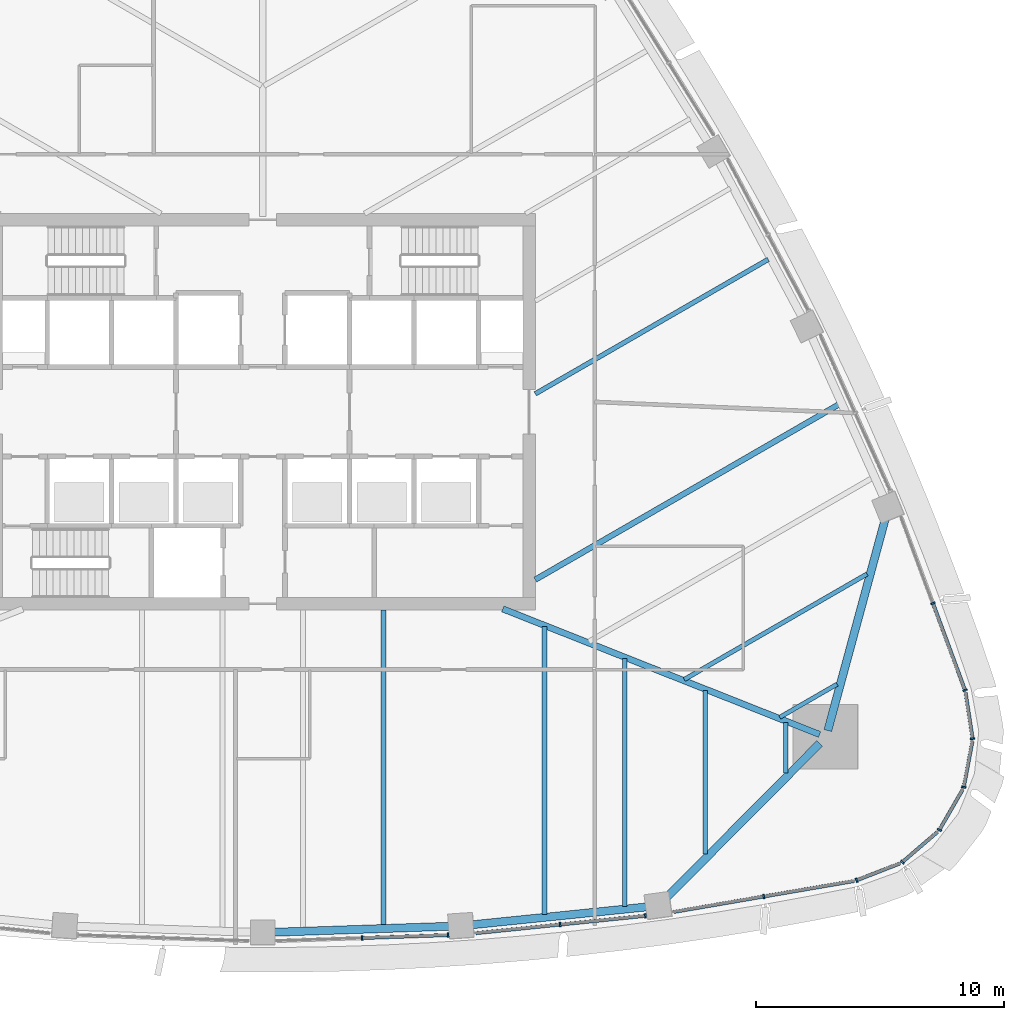
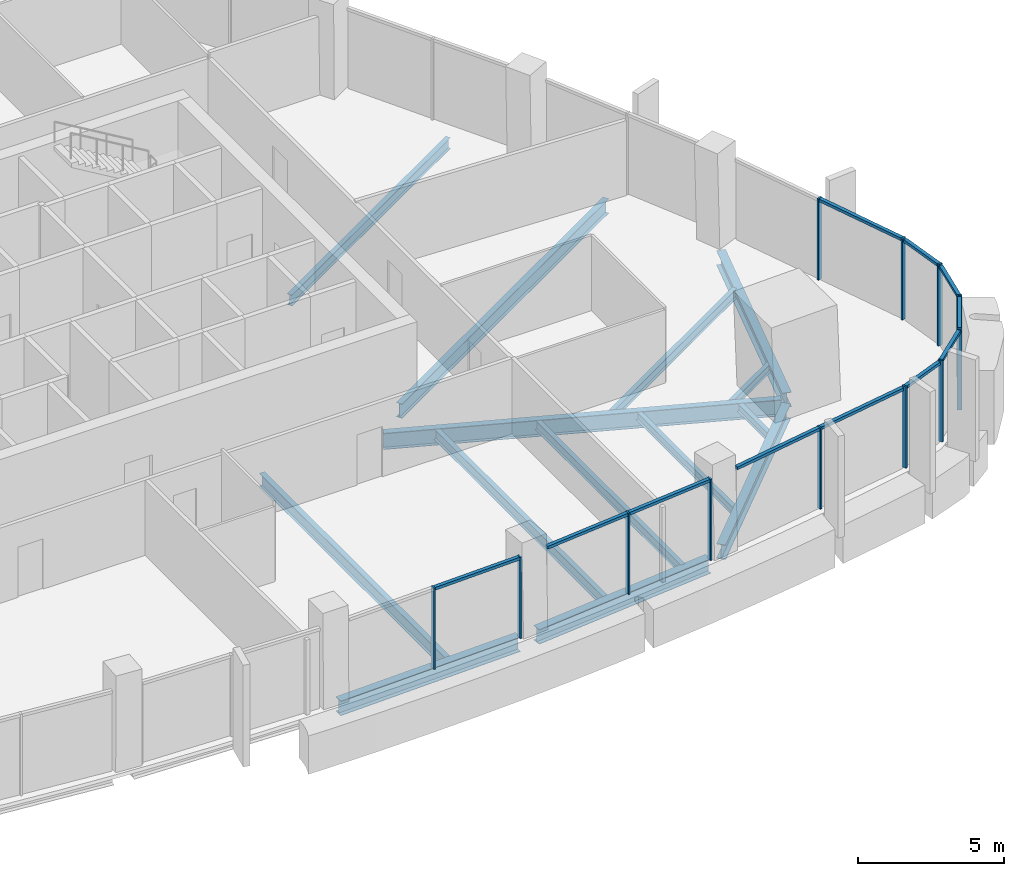
# One storey, part 4 of 19: 23 members, 14 beams, 9 elements without a shape of their own.
"""IFC4 building model written with IfcOpenShell, lengths in metres."""

from ifc_helpers import new_model, si_unit, direction, frame, origin, origin_2d, place, context, subcontext, project, spatial, rectangle, i_section, extrude, material, layer, layer_set, material_profile, profile_set, type_object, element, aggregate, save


model = new_model("IFC4")

# Units and contexts
model_context = context("Model", 3, precision=1e-05, world=origin(), true_north=direction((0.0, 1.0)))
body_context = subcontext(model_context, "Body", "Model", "MODEL_VIEW")
ifc_project = project(units=[si_unit("LENGTHUNIT", "METRE"), si_unit("AREAUNIT", "SQUARE_METRE"), si_unit("VOLUMEUNIT", "CUBIC_METRE"), si_unit("PLANEANGLEUNIT", "RADIAN"), si_unit("MASSUNIT", "GRAM", prefix="KILO")], contexts=[model_context])

# Site, building, storey
site_placement = place(None, origin())
site = spatial("IfcSite", under=ifc_project, at=site_placement, CompositionType="ELEMENT")
building_placement = place(site_placement, origin())
building = spatial("IfcBuilding", under=site, at=building_placement, Name="Sierra Prisma Convention Tower", CompositionType="ELEMENT")
storey_placement = place(building_placement, frame((0.0, 0.0, 209.800048828125)))
storey = spatial("IfcBuildingStorey", under=building, at=storey_placement, Name="L47", CompositionType="ELEMENT", Elevation=209.800048828125)

# Curtain wall, members
ifc_material_1 = material(Name="Aluminium and glass curtain wall", Category="aluminium")
ifc_layer = layer(ifc_material_1, 0.179931640625)
ifc_layer_set = layer_set([ifc_layer], Name="CW-1 Plain shaft curtain wall")
curtain_wall_type = type_object("IfcCurtainWallType", Name="CW-1 Plain shaft curtain wall", PredefinedType="NOTDEFINED", material=ifc_layer_set)
curtain_wall_1_placement = place(storey_placement, origin())
curtain_wall_1 = element("IfcCurtainWall", 1, at=curtain_wall_1_placement, inside=storey, type_object=curtain_wall_type, Name="CW-1 S4 L47", PredefinedType="NOTDEFINED")
ifc_material_2 = material(Name="Aluminium 6063-T6 bronze anodised", Category="aluminium")
ifc_material_profile_1 = material_profile(ifc_material_2, rectangle(XDim=0.179931640625, YDim=0.070068359375, at=origin_2d()), Name="ALU MULLION 70x180")
ifc_profile_set_1 = profile_set([ifc_material_profile_1], Name="Aluminium 6063-T6 bronze anodised")
member_type_1 = type_object("IfcMemberType", Name="CW mullion bronze", PredefinedType="MULLION", material=ifc_profile_set_1)
member_1_placement = place(storey_placement, frame((4.008056640625, -21.239501953125, 0.0), z_axis=(0.0, 0.0, 1.0), x_axis=(-0.033967701551, 0.999422931121, 0.0)))
member_1 = element("IfcMember", 2, at=member_1_placement, type_object=member_type_1, Name="CW-1 mullion S4.2", PredefinedType="MULLION", context=body_context, shape_type="SweptSolid", body=[
    extrude(rectangle(XDim=0.179931640625, YDim=0.070068359375, at=origin_2d()), origin(), (0.0, 0.0, 1.0), 3.39990234375),
])
member_2_placement = place(storey_placement, frame((7.481689453125, -21.121337890625, 0.0), z_axis=(0.0, 0.0, 1.0), x_axis=(-0.033967701551, 0.999422931121, 0.0)))
member_2 = element("IfcMember", 3, at=member_2_placement, type_object=member_type_1, Name="CW-1 mullion S4.3", PredefinedType="MULLION", context=body_context, shape_type="SweptSolid", body=[
    extrude(rectangle(XDim=0.179931640625, YDim=0.070068359375, at=origin_2d()), origin(), (0.0, 0.0, 1.0), 3.39990234375),
])

curtain_wall_2_placement = place(storey_placement, origin())
curtain_wall_2 = element("IfcCurtainWall", 4, at=curtain_wall_2_placement, inside=storey, type_object=curtain_wall_type, Name="CW-1 S5 L47", PredefinedType="NOTDEFINED")
member_3_placement = place(storey_placement, frame((12.00244140625, -20.696533203125, 0.0), z_axis=(0.0, 0.0, 1.0), x_axis=(-0.101746336288, 0.994810375424, 0.0)))
member_3 = element("IfcMember", 5, at=member_3_placement, type_object=member_type_1, Name="CW-1 mullion S5.2", PredefinedType="MULLION", context=body_context, shape_type="SweptSolid", body=[
    extrude(rectangle(XDim=0.179931640625, YDim=0.070068359375, at=origin_2d()), origin(), (0.0, 0.0, 1.0), 3.39990234375),
])
member_4_placement = place(storey_placement, frame((15.444091796875, -20.344482421875, 0.0), z_axis=(0.0, 0.0, 1.0), x_axis=(-0.101746336288, 0.994810375424, 0.0)))
member_4 = element("IfcMember", 6, at=member_4_placement, type_object=member_type_1, Name="CW-1 mullion S5.3", PredefinedType="MULLION", context=body_context, shape_type="SweptSolid", body=[
    extrude(rectangle(XDim=0.179931640625, YDim=0.070068359375, at=origin_2d()), origin(), (0.0, 0.0, 1.0), 3.39990234375),
])

# Curtain wall, member
curtain_wall_3_placement = place(storey_placement, origin())
curtain_wall_3 = element("IfcCurtainWall", 7, at=curtain_wall_3_placement, inside=storey, type_object=curtain_wall_type, Name="CW-1 S6 L47", PredefinedType="NOTDEFINED")
member_5_placement = place(storey_placement, frame((20.2255859375, -19.564208984375, 0.0), z_axis=(0.0, 0.0, 1.0), x_axis=(-0.1690553894, 0.985606551984, 0.0)))
member_5 = element("IfcMember", 8, at=member_5_placement, type_object=member_type_1, Name="CW-1 mullion S6.2", PredefinedType="MULLION", context=body_context, shape_type="SweptSolid", body=[
    extrude(rectangle(XDim=0.179931640625, YDim=0.070068359375, at=origin_2d()), origin(), (0.0, 0.0, 1.0), 3.39990234375),
])

curtain_wall_4_placement = place(storey_placement, origin())
curtain_wall_4 = element("IfcCurtainWall", 9, at=curtain_wall_4_placement, inside=storey, type_object=curtain_wall_type, Name="CW-1 SE1 L47", PredefinedType="NOTDEFINED")
member_6_placement = place(storey_placement, frame((23.970703125, -18.91455078125, 0.0), z_axis=(0.0, 0.0, 1.0), x_axis=(-0.363959878663, 0.931414626642, 0.0)))
member_6 = element("IfcMember", 10, at=member_6_placement, type_object=member_type_1, Name="CW-1 mullion SE1.1", PredefinedType="MULLION", context=body_context, shape_type="SweptSolid", body=[
    extrude(rectangle(XDim=0.179931640625, YDim=0.070068359375, at=origin_2d()), origin(), (0.0, 0.0, 1.0), 3.39990234375),
])

curtain_wall_5_placement = place(storey_placement, origin())
curtain_wall_5 = element("IfcCurtainWall", 11, at=curtain_wall_5_placement, inside=storey, type_object=curtain_wall_type, Name="CW-1 SE2 L47", PredefinedType="NOTDEFINED")
member_7_placement = place(storey_placement, frame((25.81640625, -18.180908203125, 0.0), z_axis=(0.0, 0.0, 1.0), x_axis=(-0.651725090648, 0.758455276348, 0.0)))
member_7 = element("IfcMember", 12, at=member_7_placement, type_object=member_type_1, Name="CW-1 mullion SE2.1", PredefinedType="MULLION", context=body_context, shape_type="SweptSolid", body=[
    extrude(rectangle(XDim=0.179931640625, YDim=0.070068359375, at=origin_2d()), origin(), (0.0, 0.0, 1.0), 3.39990234375),
])

curtain_wall_6_placement = place(storey_placement, origin())
curtain_wall_6 = element("IfcCurtainWall", 13, at=curtain_wall_6_placement, inside=storey, type_object=curtain_wall_type, Name="CW-1 SE3 L47", PredefinedType="NOTDEFINED")
member_8_placement = place(storey_placement, frame((27.315185546875, -16.8779296875, 0.0), z_axis=(0.0, 0.0, 1.0), x_axis=(-0.866025403784, 0.5, 0.0)))
member_8 = element("IfcMember", 14, at=member_8_placement, type_object=member_type_1, Name="CW-1 mullion SE3.1", PredefinedType="MULLION", context=body_context, shape_type="SweptSolid", body=[
    extrude(rectangle(XDim=0.179931640625, YDim=0.070068359375, at=origin_2d()), origin(), (0.0, 0.0, 1.0), 3.39990234375),
])

curtain_wall_7_placement = place(storey_placement, origin())
curtain_wall_7 = element("IfcCurtainWall", 15, at=curtain_wall_7_placement, inside=storey, type_object=curtain_wall_type, Name="CW-1 SE4 L47", PredefinedType="NOTDEFINED")
member_9_placement = place(storey_placement, frame((28.298095703125, -15.152099609375, 0.0), z_axis=(0.0, 0.0, 1.0), x_axis=(-0.982704082276, 0.185182846611, 0.0)))
member_9 = element("IfcMember", 16, at=member_9_placement, type_object=member_type_1, Name="CW-1 mullion SE4.1", PredefinedType="MULLION", context=body_context, shape_type="SweptSolid", body=[
    extrude(rectangle(XDim=0.179931640625, YDim=0.070068359375, at=origin_2d()), origin(), (0.0, 0.0, 1.0), 3.39990234375),
])

curtain_wall_8_placement = place(storey_placement, origin())
curtain_wall_8 = element("IfcCurtainWall", 17, at=curtain_wall_8_placement, inside=storey, type_object=curtain_wall_type, Name="CW-1 SE5 L47", PredefinedType="NOTDEFINED")
member_10_placement = place(storey_placement, frame((28.654541015625, -13.197998046875, 0.0), z_axis=(0.0, 0.0, 1.0), x_axis=(-0.98860866746, -0.150508812441, 0.0)))
member_10 = element("IfcMember", 18, at=member_10_placement, type_object=member_type_1, Name="CW-1 mullion SE5.1", PredefinedType="MULLION", context=body_context, shape_type="SweptSolid", body=[
    extrude(rectangle(XDim=0.179931640625, YDim=0.070068359375, at=origin_2d()), origin(), (0.0, 0.0, 1.0), 3.39990234375),
])

# Curtain wall, members
curtain_wall_9_placement = place(storey_placement, origin())
curtain_wall_9 = element("IfcCurtainWall", 19, at=curtain_wall_9_placement, inside=storey, type_object=curtain_wall_type, Name="CW-1 NE1 L47", PredefinedType="NOTDEFINED")
member_11_placement = place(storey_placement, frame((28.3486328125, -11.234375, 0.0), z_axis=(0.0, 0.0, 1.0), x_axis=(-0.938088006855, -0.346397014125, 0.0)))
member_11 = element("IfcMember", 20, at=member_11_placement, type_object=member_type_1, Name="CW-1 mullion NE1.1", PredefinedType="MULLION", context=body_context, shape_type="SweptSolid", body=[
    extrude(rectangle(XDim=0.179931640625, YDim=0.070068359375, at=origin_2d()), origin(), (0.0, 0.0, 1.0), 3.39990234375),
])
member_12_placement = place(storey_placement, frame((27.055908203125, -7.73388671875, 0.0), z_axis=(0.0, 0.0, 1.0), x_axis=(-0.938088006855, -0.346397014125, 0.0)))
member_12 = element("IfcMember", 21, at=member_12_placement, type_object=member_type_1, Name="CW-1 mullion NE1.2", PredefinedType="MULLION", context=body_context, shape_type="SweptSolid", body=[
    extrude(rectangle(XDim=0.179931640625, YDim=0.070068359375, at=origin_2d()), origin(), (0.0, 0.0, 1.0), 3.39990234375),
])

# Member
ifc_material_3 = material(Name="Aluminium 6063-T6 bronze anodised", Category="aluminium")
ifc_material_profile_2 = material_profile(ifc_material_3, rectangle(XDim=0.139892578125, YDim=0.1201171875, at=origin_2d()), Name="ALU TRANSOM 120x140")
ifc_profile_set_2 = profile_set([ifc_material_profile_2], Name="Aluminium 6063-T6 bronze anodised")
member_type_2 = type_object("IfcMemberType", Name="CW transom bronze", PredefinedType="USERDEFINED", material=ifc_profile_set_2)
member_13_placement = place(storey_placement, frame((4.043212890625, -21.23828125, 3.33984375), z_axis=(0.999422403248, 0.033983229493, 0.0), x_axis=(-0.033983229493, 0.999422403248, 0.0)))
member_13 = element("IfcMember", 22, at=member_13_placement, type_object=member_type_2, Name="CW-1 transom S4.2", ObjectType="TRANSOM", PredefinedType="USERDEFINED", context=body_context, shape_type="SweptSolid", body=[
    extrude(rectangle(XDim=0.139892578125, YDim=0.1201171875, at=origin_2d()), origin(), (0.0, 0.0, 1.0), 3.4052734375),
])

aggregate(curtain_wall_1, [member_1, member_2, member_13])

member_14_placement = place(storey_placement, frame((8.595703125, -21.044921875, 3.33984375), z_axis=(0.994807088601, 0.101778467612, 0.0), x_axis=(-0.101778467612, 0.994807088601, 0.0)))
member_14 = element("IfcMember", 23, at=member_14_placement, type_object=member_type_2, Name="CW-1 transom S5.1", ObjectType="TRANSOM", PredefinedType="USERDEFINED", context=body_context, shape_type="SweptSolid", body=[
    extrude(rectangle(XDim=0.139892578125, YDim=0.1201171875, at=origin_2d()), origin(), (0.0, 0.0, 1.0), 3.389404296875),
])

member_15_placement = place(storey_placement, frame((12.037353515625, -20.69287109375, 3.33984375), z_axis=(0.994807088601, 0.101778467612, 0.0), x_axis=(-0.101778467612, 0.994807088601, 0.0)))
member_15 = element("IfcMember", 24, at=member_15_placement, type_object=member_type_2, Name="CW-1 transom S5.2", ObjectType="TRANSOM", PredefinedType="USERDEFINED", context=body_context, shape_type="SweptSolid", body=[
    extrude(rectangle(XDim=0.139892578125, YDim=0.1201171875, at=origin_2d()), origin(), (0.0, 0.0, 1.0), 3.389404296875),
])

aggregate(curtain_wall_2, [member_3, member_4, member_14, member_15])

member_16_placement = place(storey_placement, frame((16.58203125, -20.189208984375, 3.33984375), z_axis=(0.985602579823, 0.169078545791, 0.0), x_axis=(-0.169078545791, 0.985602579823, 0.0)))
member_16 = element("IfcMember", 25, at=member_16_placement, type_object=member_type_2, Name="CW-1 transom S6.1", ObjectType="TRANSOM", PredefinedType="USERDEFINED", context=body_context, shape_type="SweptSolid", body=[
    extrude(rectangle(XDim=0.139892578125, YDim=0.1201171875, at=origin_2d()), origin(), (0.0, 0.0, 1.0), 3.661865234375),
])

member_17_placement = place(storey_placement, frame((20.260009765625, -19.558349609375, 3.33984375), z_axis=(0.985602579823, 0.169078545791, 0.0), x_axis=(-0.169078545791, 0.985602579823, 0.0)))
member_17 = element("IfcMember", 26, at=member_17_placement, type_object=member_type_2, Name="CW-1 transom S6.2", ObjectType="TRANSOM", PredefinedType="USERDEFINED", context=body_context, shape_type="SweptSolid", body=[
    extrude(rectangle(XDim=0.139892578125, YDim=0.1201171875, at=origin_2d()), origin(), (0.0, 0.0, 1.0), 3.661865234375),
])

aggregate(curtain_wall_3, [member_5, member_16, member_17])

member_18_placement = place(storey_placement, frame((24.003173828125, -18.90185546875, 3.33984375), z_axis=(0.931425867343, 0.363931111123, 0.0), x_axis=(-0.363931111123, 0.931425867343, 0.0)))
member_18 = element("IfcMember", 27, at=member_18_placement, type_object=member_type_2, Name="CW-1 transom SE1.1", ObjectType="TRANSOM", PredefinedType="USERDEFINED", context=body_context, shape_type="SweptSolid", body=[
    extrude(rectangle(XDim=0.139892578125, YDim=0.1201171875, at=origin_2d()), origin(), (0.0, 0.0, 1.0), 1.84814453125),
])

aggregate(curtain_wall_4, [member_6, member_18])

member_19_placement = place(storey_placement, frame((25.8427734375, -18.158203125, 3.33984375), z_axis=(0.758519462966, 0.651650385024, 0.0), x_axis=(-0.651650385024, 0.758519462966, 0.0)))
member_19 = element("IfcMember", 28, at=member_19_placement, type_object=member_type_2, Name="CW-1 transom SE2.1", ObjectType="TRANSOM", PredefinedType="USERDEFINED", context=body_context, shape_type="SweptSolid", body=[
    extrude(rectangle(XDim=0.139892578125, YDim=0.1201171875, at=origin_2d()), origin(), (0.0, 0.0, 1.0), 1.84814453125),
])

aggregate(curtain_wall_5, [member_7, member_19])

member_20_placement = place(storey_placement, frame((27.332763671875, -16.847412109375, 3.33984375), z_axis=(0.499947380289, 0.866055781658, 0.0), x_axis=(-0.866055781658, 0.499947380289, 0.0)))
member_20 = element("IfcMember", 29, at=member_20_placement, type_object=member_type_2, Name="CW-1 transom SE3.1", ObjectType="TRANSOM", PredefinedType="USERDEFINED", context=body_context, shape_type="SweptSolid", body=[
    extrude(rectangle(XDim=0.139892578125, YDim=0.1201171875, at=origin_2d()), origin(), (0.0, 0.0, 1.0), 1.847900390625),
])

aggregate(curtain_wall_6, [member_8, member_20])

member_21_placement = place(storey_placement, frame((28.3046875, -15.11767578125, 3.33984375), z_axis=(0.185205684798, 0.982699778324, 0.0), x_axis=(-0.982699778324, 0.185205684798, 0.0)))
member_21 = element("IfcMember", 30, at=member_21_placement, type_object=member_type_2, Name="CW-1 transom SE4.1", ObjectType="TRANSOM", PredefinedType="USERDEFINED", context=body_context, shape_type="SweptSolid", body=[
    extrude(rectangle(XDim=0.139892578125, YDim=0.1201171875, at=origin_2d()), origin(), (0.0, 0.0, 1.0), 1.84814453125),
])

aggregate(curtain_wall_7, [member_9, member_21])

member_22_placement = place(storey_placement, frame((28.6494140625, -13.16357421875, 3.33984375), z_axis=(-0.150587940144, 0.988596617576, 0.0), x_axis=(-0.988596617576, -0.150587940144, 0.0)))
member_22 = element("IfcMember", 31, at=member_22_placement, type_object=member_type_2, Name="CW-1 transom SE5.1", ObjectType="TRANSOM", PredefinedType="USERDEFINED", context=body_context, shape_type="SweptSolid", body=[
    extrude(rectangle(XDim=0.139892578125, YDim=0.1201171875, at=origin_2d()), origin(), (0.0, 0.0, 1.0), 1.84814453125),
])

aggregate(curtain_wall_8, [member_10, member_22])

member_23_placement = place(storey_placement, frame((28.33642578125, -11.20166015625, 3.33984375), z_axis=(-0.346369569334, 0.938098140622, 0.0), x_axis=(-0.938098140622, -0.346369569334, 0.0)))
member_23 = element("IfcMember", 32, at=member_23_placement, type_object=member_type_2, Name="CW-1 transom NE1.1", ObjectType="TRANSOM", PredefinedType="USERDEFINED", context=body_context, shape_type="SweptSolid", body=[
    extrude(rectangle(XDim=0.139892578125, YDim=0.1201171875, at=origin_2d()), origin(), (0.0, 0.0, 1.0), 3.66162109375),
])

aggregate(curtain_wall_9, [member_11, member_12, member_23])

# Beams
ifc_material_4 = material(Name="Steel ASTM A992 Gr 50", Category="steel")
ifc_material_profile_3 = material_profile(ifc_material_4, i_section(OverallWidth=0.172119140625, OverallDepth=0.35791015625, WebThickness=0.0078125, FlangeThickness=0.01318359375, at=origin_2d()), Name="W360x57")
ifc_profile_set_3 = profile_set([ifc_material_profile_3], Name="Steel ASTM A992 Gr 50")
beam_type_1 = type_object("IfcBeamType", Name="Floor joist W360x57", PredefinedType="JOIST", material=ifc_profile_set_3)
beam_1_placement = place(storey_placement, frame((17.86669921875, -17.852294921875, -0.3291015625), z_axis=(0.0, 1.0, 0.0), x_axis=(-1.0, 0.0, 0.0)))
element("IfcBeam", 33, at=beam_1_placement, inside=storey, type_object=beam_type_1, Name="Floor joist L47 S13", PredefinedType="JOIST", context=body_context, shape_type="SweptSolid", body=[
    extrude(i_section(OverallWidth=0.172119140625, OverallDepth=0.35791015625, WebThickness=0.0078125, FlangeThickness=0.01318359375, at=origin_2d()), origin(), (0.0, 0.0, 1.0), 6.600341796875),
])
beam_2_placement = place(storey_placement, frame((21.114990234375, -14.582763671875, -0.3291015625), z_axis=(0.0, 1.0, 0.0), x_axis=(-1.0, 0.0, 0.0)))
element("IfcBeam", 34, at=beam_2_placement, inside=storey, type_object=beam_type_1, Name="Floor joist L47 S14", PredefinedType="JOIST", context=body_context, shape_type="SweptSolid", body=[
    extrude(i_section(OverallWidth=0.172119140625, OverallDepth=0.35791015625, WebThickness=0.0078125, FlangeThickness=0.01318359375, at=origin_2d()), origin(), (0.0, 0.0, 1.0), 2.043212890625),
])
beam_3_placement = place(storey_placement, frame((23.1865234375, -10.994873046875, -0.3291015625), z_axis=(-0.866010840057, -0.500025224267, 0.0), x_axis=(0.500025224267, -0.866010840057, 0.0)))
element("IfcBeam", 35, at=beam_3_placement, inside=storey, type_object=beam_type_1, Name="Floor joist L47 NE01", PredefinedType="JOIST", context=body_context, shape_type="SweptSolid", body=[
    extrude(i_section(OverallWidth=0.172119140625, OverallDepth=0.35791015625, WebThickness=0.0078125, FlangeThickness=0.01318359375, at=origin_2d()), origin(), (0.0, 0.0, 1.0), 2.675537109375),
])
ifc_material_5 = material(Name="Steel ASTM A992 Gr 50", Category="steel")
ifc_material_profile_4 = material_profile(ifc_material_5, i_section(OverallWidth=0.177978515625, OverallDepth=0.406982421875, WebThickness=0.0078125, FlangeThickness=0.0126953125, at=origin_2d()), Name="W410x60")
ifc_profile_set_4 = profile_set([ifc_material_profile_4], Name="Steel ASTM A992 Gr 50")
beam_type_2 = type_object("IfcBeamType", Name="Floor joist W410x60", PredefinedType="JOIST", material=ifc_profile_set_4)
beam_4_placement = place(storey_placement, frame((14.6181640625, -19.9638671875, -0.353515625), z_axis=(0.0, 1.0, 0.0), x_axis=(-1.0, 0.0, 0.0)))
element("IfcBeam", 36, at=beam_4_placement, inside=storey, type_object=beam_type_2, Name="Floor joist L47 S12", PredefinedType="JOIST", context=body_context, shape_type="SweptSolid", body=[
    extrude(i_section(OverallWidth=0.177978515625, OverallDepth=0.406982421875, WebThickness=0.0078125, FlangeThickness=0.0126953125, at=origin_2d()), origin(), (0.0, 0.0, 1.0), 9.99951171875),
])
beam_5_placement = place(storey_placement, frame((24.393798828125, -6.546875, -0.353515625), z_axis=(-0.866020915732, -0.500007773455, 0.0), x_axis=(0.500007773455, -0.866020915732, 0.0)))
element("IfcBeam", 37, at=beam_5_placement, inside=storey, type_object=beam_type_2, Name="Floor joist L47 NE02", PredefinedType="JOIST", context=body_context, shape_type="SweptSolid", body=[
    extrude(i_section(OverallWidth=0.177978515625, OverallDepth=0.406982421875, WebThickness=0.0078125, FlangeThickness=0.0126953125, at=origin_2d()), origin(), (0.0, 0.0, 1.0), 8.517822265625),
])
ifc_material_6 = material(Name="Steel ASTM A992 Gr 50", Category="steel")
ifc_material_profile_5 = material_profile(ifc_material_6, i_section(OverallWidth=0.18994140625, OverallDepth=0.45703125, WebThickness=0.009033203125, FlangeThickness=0.014404296875, at=origin_2d()), Name="W460x74")
ifc_profile_set_5 = profile_set([ifc_material_profile_5], Name="Steel ASTM A992 Gr 50")
beam_type_3 = type_object("IfcBeamType", Name="Floor joist W460x74", PredefinedType="JOIST", material=ifc_profile_set_5)
beam_6_placement = place(storey_placement, frame((11.36962890625, -20.296142578125, -0.378662109375), z_axis=(0.0, 1.0, 0.0), x_axis=(-1.0, 0.0, 0.0)))
element("IfcBeam", 38, at=beam_6_placement, inside=storey, type_object=beam_type_3, Name="Floor joist L47 S11", PredefinedType="JOIST", context=body_context, shape_type="SweptSolid", body=[
    extrude(i_section(OverallWidth=0.18994140625, OverallDepth=0.45703125, WebThickness=0.009033203125, FlangeThickness=0.014404296875, at=origin_2d()), origin(), (0.0, 0.0, 1.0), 11.619384765625),
])
beam_7_placement = place(storey_placement, frame((20.404296875, 6.15380859375, -0.378662109375), z_axis=(-0.866030586491, -0.499991023182, 0.0), x_axis=(0.499991023182, -0.866030586491, 0.0)))
element("IfcBeam", 39, at=beam_7_placement, inside=storey, type_object=beam_type_3, Name="Floor joist L47 NE06", PredefinedType="JOIST", context=body_context, shape_type="SweptSolid", body=[
    extrude(i_section(OverallWidth=0.18994140625, OverallDepth=0.45703125, WebThickness=0.009033203125, FlangeThickness=0.014404296875, at=origin_2d()), origin(), (0.0, 0.0, 1.0), 10.859130859375),
])
ifc_material_7 = material(Name="Steel ASTM A992 Gr 50", Category="steel")
ifc_material_profile_6 = material_profile(ifc_material_7, i_section(OverallWidth=0.208984375, OverallDepth=0.532958984375, WebThickness=0.01025390625, FlangeThickness=0.015625, at=origin_2d()), Name="W530x92")
ifc_profile_set_6 = profile_set([ifc_material_profile_6], Name="Steel ASTM A992 Gr 50")
beam_type_4 = type_object("IfcBeamType", Name="Floor joist W530x92", PredefinedType="JOIST", material=ifc_profile_set_6)
beam_8_placement = place(storey_placement, frame((4.872802734375, -20.74755859375, -0.41650390625), z_axis=(0.0, 1.0, 0.0), x_axis=(-1.0, 0.0, 0.0)))
element("IfcBeam", 40, at=beam_8_placement, inside=storey, type_object=beam_type_4, Name="Floor joist L47 S09", PredefinedType="JOIST", context=body_context, shape_type="SweptSolid", body=[
    extrude(i_section(OverallWidth=0.208984375, OverallDepth=0.532958984375, WebThickness=0.01025390625, FlangeThickness=0.015625, at=origin_2d()), origin(), (0.0, 0.0, 1.0), 12.74755859375),
])
ifc_material_8 = material(Name="Steel ASTM A992 Gr 50", Category="steel")
ifc_material_profile_7 = material_profile(ifc_material_8, i_section(OverallWidth=0.22802734375, OverallDepth=0.60302734375, WebThickness=0.010498046875, FlangeThickness=0.014892578125, at=origin_2d()), Name="W610x101")
ifc_profile_set_7 = profile_set([ifc_material_profile_7], Name="Steel ASTM A992 Gr 50")
beam_type_5 = type_object("IfcBeamType", Name="Floor joist W610x101", PredefinedType="JOIST", material=ifc_profile_set_7)
beam_9_placement = place(storey_placement, frame((23.261962890625, 0.3017578125, -0.45166015625), z_axis=(-0.866021052878, -0.500007535915, 0.0), x_axis=(0.500007535915, -0.866021052878, 0.0)))
element("IfcBeam", 41, at=beam_9_placement, inside=storey, type_object=beam_type_5, Name="Floor joist L47 NE04", PredefinedType="JOIST", context=body_context, shape_type="SweptSolid", body=[
    extrude(i_section(OverallWidth=0.22802734375, OverallDepth=0.60302734375, WebThickness=0.010498046875, FlangeThickness=0.014892578125, at=origin_2d()), origin(), (0.0, 0.0, 1.0), 14.158935546875),
])
ifc_material_9 = material(Name="Steel ASTM A992 Gr 50", Category="steel")
ifc_material_profile_8 = material_profile(ifc_material_9, i_section(OverallWidth=0.25390625, OverallDepth=0.68408203125, WebThickness=0.012451171875, FlangeThickness=0.018798828125, at=origin_2d()), Name="W690x140")
ifc_profile_set_8 = profile_set([ifc_material_profile_8], Name="Steel ASTM A992 Gr 50")
beam_type_6 = type_object("IfcBeamType", Name="Radial girder W690x140", PredefinedType="BEAM", material=ifc_profile_set_8)
beam_10_placement = place(storey_placement, frame((22.479248046875, -13.025634765625, -0.491943359375), z_axis=(-0.929637122266, 0.368476350537, 0.0), x_axis=(-0.368476350537, -0.929637122266, 0.0)))
element("IfcBeam", 42, at=beam_10_placement, inside=storey, type_object=beam_type_6, Name="Radial girder L47 SE", PredefinedType="BEAM", context=body_context, shape_type="SweptSolid", body=[
    extrude(i_section(OverallWidth=0.25390625, OverallDepth=0.68408203125, WebThickness=0.012451171875, FlangeThickness=0.018798828125, at=origin_2d()), origin(), (0.0, 0.0, 1.0), 13.7587890625),
])
ifc_material_10 = material(Name="Steel ASTM A992 Gr 50", Category="steel")
ifc_material_profile_9 = material_profile(ifc_material_10, i_section(OverallWidth=0.324951171875, OverallDepth=0.615966796875, WebThickness=0.013916015625, FlangeThickness=0.021484375, at=origin_2d()), Name="W610x174")
ifc_profile_set_9 = profile_set([ifc_material_profile_9], Name="Steel ASTM A992 Gr 50")
beam_type_7 = type_object("IfcBeamType", Name="Spandrel beam W610x174", PredefinedType="BEAM", material=ifc_profile_set_9)
for number, where, z_axis, x_axis, name in (
    (43, (0.380126953125, -21.0126953125, -0.4580078125), (0.999423547891, 0.033949549649, 0.0), (-0.033949549649, 0.999423547891, 0.0), "Spandrel L47-04"),
    (44, (8.38330078125, -20.71484375, -0.4580078125), (0.994810236263, 0.101747696914, 0.0), (-0.101747696914, 0.994810236263, 0.0), "Spandrel L47-05"),
):
    element("IfcBeam", number, at=place(storey_placement, frame(where, z_axis=z_axis, x_axis=x_axis)), inside=storey, type_object=beam_type_7, Name=name, PredefinedType="BEAM", context=body_context, shape_type="SweptSolid", body=[
        extrude(i_section(OverallWidth=0.324951171875, OverallDepth=0.615966796875, WebThickness=0.013916015625, FlangeThickness=0.021484375, at=origin_2d()), origin(), (0.0, 0.0, 1.0), 7.248779296875),
    ])
beam_11_placement = place(storey_placement, frame((16.33203125, -19.577392578125, -0.4580078125), z_axis=(0.704822350859, 0.709383854996, 0.0), x_axis=(-0.709383854996, 0.704822350859, 0.0)))
element("IfcBeam", 45, at=beam_11_placement, inside=storey, type_object=beam_type_7, Name="Spandrel L47-06", PredefinedType="BEAM", context=body_context, shape_type="SweptSolid", body=[
    extrude(i_section(OverallWidth=0.324951171875, OverallDepth=0.615966796875, WebThickness=0.013916015625, FlangeThickness=0.021484375, at=origin_2d()), origin(), (0.0, 0.0, 1.0), 8.72412109375),
])
beam_12_placement = place(storey_placement, frame((22.809814453125, -12.86865234375, -0.4580078125), z_axis=(0.261925222944, 0.965088170887, 0.0), x_axis=(-0.965088170887, 0.261925222944, 0.0)))
element("IfcBeam", 46, at=beam_12_placement, inside=storey, type_object=beam_type_7, Name="Spandrel L47-07", PredefinedType="BEAM", context=body_context, shape_type="SweptSolid", body=[
    extrude(i_section(OverallWidth=0.324951171875, OverallDepth=0.615966796875, WebThickness=0.013916015625, FlangeThickness=0.021484375, at=origin_2d()), origin(), (0.0, 0.0, 1.0), 8.8212890625),
])

save(model, "model.ifc")
